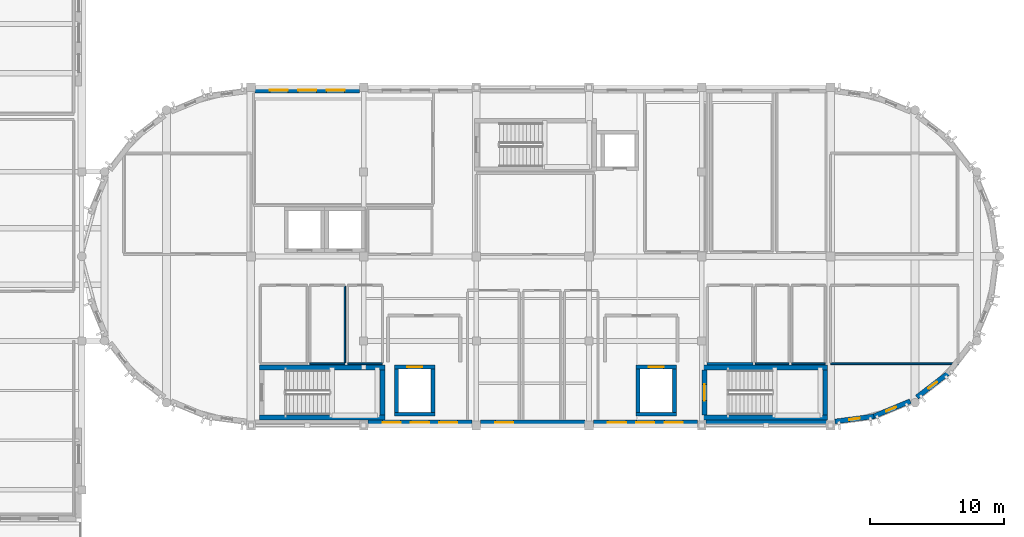
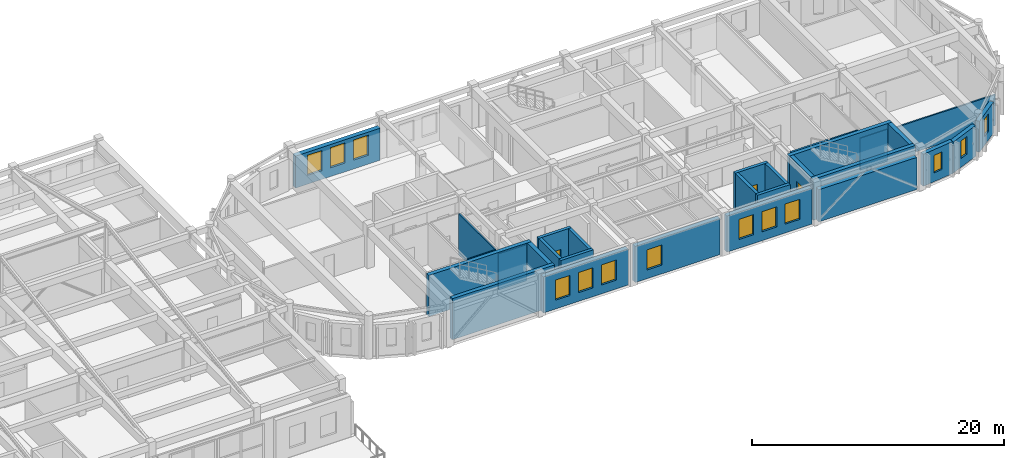
# One storey, part 17 of 29: 30 walls, 13 windows, 3 doors, 16 openings.
"""IFC4 building model written with IfcOpenShell, lengths in metres."""

import ifcopenshell
import ifcopenshell.guid

model = None  # the IFC model being written
_history = None  # IfcOwnerHistory: only IFC2X3 demands one
_inside = {}  # id of a spatial element -> (the spatial element, [elements in it])
_under = {}  # id of a project, library or spatial element -> (it, [spatial elements below it])
_declared = {}  # id of a project -> (the project, [libraries it declares])
_typed = {}  # id of a type object -> (the type object, [elements of that type])
_made_of = {}  # id of a material, layer set ... -> (it, [elements and type objects made of it])


def new_model(schema):
    """Start an empty IFC model of exactly this schema.

    Asked for "IFC4X3", IfcOpenShell would pick the latest addendum, in which some entities
    have other attributes; the version numbers below select the first issue.
    IFC2X3 requires an IfcOwnerHistory on every rooted entity: one is made here for all.
    """
    global model, _history
    if schema == "IFC4X3":
        model = ifcopenshell.file(schema_version=(4, 3, 0, 0))
    else:
        model = ifcopenshell.file(schema=schema)
    _inside.clear()
    _under.clear()
    _declared.clear()
    _typed.clear()
    _made_of.clear()
    _history = None
    if model.schema == "IFC2X3":
        org = make("IfcOrganization", Name="unknown")
        user = make(
            "IfcPersonAndOrganization",
            ThePerson=make("IfcPerson", FamilyName="unknown"),
            TheOrganization=org,
        )
        app = make(
            "IfcApplication",
            ApplicationDeveloper=org,
            Version="unknown",
            ApplicationFullName="unknown",
            ApplicationIdentifier="unknown",
        )
        _history = make(
            "IfcOwnerHistory",
            OwningUser=user,
            OwningApplication=app,
            ChangeAction="ADDED",
            CreationDate=0,
        )
    return model


def make(cls, **values):
    """One entity of the class cls with the attributes given. An attribute that is None is left unset."""
    return model.create_entity(
        cls, **{name: value for name, value in values.items() if value is not None}
    )


def rooted(cls, **values):
    """An entity with a GlobalId (a new one), such as an element, a storey or a relation."""
    return make(cls, GlobalId=ifcopenshell.guid.new(), OwnerHistory=_history, **values)


def si_unit(unit_type, name, prefix=None):
    """IfcSIUnit, for example si_unit("LENGTHUNIT", "METRE", prefix="MILLI")."""
    return make("IfcSIUnit", UnitType=unit_type, Prefix=prefix, Name=name)


def assignment(units):
    """IfcUnitAssignment: the units of a project."""
    return None if units is None else make("IfcUnitAssignment", Units=units)


def point(xyz):
    """IfcCartesianPoint."""
    return None if xyz is None else make("IfcCartesianPoint", Coordinates=xyz)


def direction(xyz):
    """IfcDirection."""
    return None if xyz is None else make("IfcDirection", DirectionRatios=xyz)


def frame(location, z_axis=None, x_axis=None):
    """IfcAxis2Placement3D, a coordinate frame: its origin and axes. An axis left out is left unset."""
    return make(
        "IfcAxis2Placement3D",
        Location=point(location),
        Axis=direction(z_axis),
        RefDirection=direction(x_axis),
    )


def frame_2d(location, x_axis=None):
    """IfcAxis2Placement2D, a coordinate frame in the plane: its origin and x axis."""
    return make(
        "IfcAxis2Placement2D", Location=point(location), RefDirection=direction(x_axis)
    )


def origin():
    """The frame at (0, 0, 0) with its axes left unset."""
    return frame((0.0, 0.0, 0.0))


def place(relative_to, where):
    """IfcLocalPlacement: puts the frame where relative to a parent placement (None: the world)."""
    return make(
        "IfcLocalPlacement", PlacementRelTo=relative_to, RelativePlacement=where
    )


def context(
    kind, dimensions, precision=None, world=None, true_north=None, identifier=None
):
    """IfcGeometricRepresentationContext, for example the 3D "Model" context."""
    return make(
        "IfcGeometricRepresentationContext",
        ContextIdentifier=identifier,
        ContextType=kind,
        CoordinateSpaceDimension=dimensions,
        Precision=precision,
        WorldCoordinateSystem=world,
        TrueNorth=true_north,
    )


def subcontext(parent, identifier, kind, view, scale=None):
    """IfcGeometricRepresentationSubContext, for example "Body" below "Model"."""
    return make(
        "IfcGeometricRepresentationSubContext",
        ContextIdentifier=identifier,
        ContextType=kind,
        ParentContext=parent,
        TargetScale=scale,
        TargetView=view,
    )


def project(units=None, contexts=None):
    """IfcProject with its units and contexts."""
    return rooted(
        "IfcProject",
        Name="project",
        RepresentationContexts=contexts,
        UnitsInContext=assignment(units),
    )


def spatial(cls, under=None, at=None, **own):
    """A site, building, storey or space (cls), placed at a placement, below another one or the project."""
    s = rooted(cls, ObjectPlacement=at, **own)
    if under is not None:
        _under.setdefault(under.id(), (under, []))[1].append(s)
    return s


def profile(cls, at=None, kind="AREA", **sizes):
    """A parametric profile (cls). Its sizes go by their IFC names, for example OverallWidth=200.0."""
    return make(cls, ProfileType=kind, Position=at, **sizes)


def rectangle(**sizes):
    """IfcRectangleProfileDef."""
    return profile("IfcRectangleProfileDef", **sizes)


def extrude(swept, where, along, depth):
    """IfcExtrudedAreaSolid: the profile swept, set in the frame where, extruded along a direction by depth."""
    return make(
        "IfcExtrudedAreaSolid",
        SweptArea=swept,
        Position=where,
        ExtrudedDirection=direction(along),
        Depth=depth,
    )


def shape(context_of_items, identifier, shape_type, items):
    """IfcShapeRepresentation: the items that make up one representation, for example the "Body"."""
    return make(
        "IfcShapeRepresentation",
        ContextOfItems=context_of_items,
        RepresentationIdentifier=identifier,
        RepresentationType=shape_type,
        Items=items,
    )


def material(Name=None, Category=None):
    """IfcMaterial."""
    return make("IfcMaterial", Name=Name, Category=Category)


def layer(
    of_material, thickness, ventilated=None, Name=None, Category=None, Priority=None
):
    """IfcMaterialLayer: one layer of a wall or slab, of a material (None: an air gap)."""
    return make(
        "IfcMaterialLayer",
        Material=of_material,
        LayerThickness=thickness,
        IsVentilated=ventilated,
        Name=Name,
        Category=Category,
        Priority=Priority,
    )


def layer_set(layers, Name=None):
    """IfcMaterialLayerSet."""
    return make("IfcMaterialLayerSet", MaterialLayers=layers, LayerSetName=Name)


def made_of(thing, what):
    """Note that an element or type object is made of a material, layer set ...; save() writes the relation."""
    if what is not None:
        _made_of.setdefault(what.id(), (what, []))[1].append(thing)
    return thing


def type_object(cls, material=None, **own):
    """A type object (cls), such as IfcWallType, which elements share."""
    return made_of(rooted(cls, **own), material)


def element(
    cls,
    number,
    at=None,
    inside=None,
    cuts=None,
    type_object=None,
    material=None,
    context=None,
    identifier="Body",
    shape_type=None,
    held_by="IfcProductDefinitionShape",
    body=None,
    shapes=None,
    **own,
):
    """One element of the class cls, such as IfcWall. Its Tag is "e" and its number.

    at: its placement. inside: the storey or other place that contains it. cuts: it is an
    opening in that element (IfcRelVoidsElement). A single representation is given by context,
    identifier, shape_type and body (its items); several are given by shapes. held_by: the class
    of the entity that holds the representations. save() writes the other relations.
    """
    e = rooted(cls, Tag="e%d" % number, ObjectPlacement=at, **own)
    if body is not None:
        shapes = [shape(context, identifier, shape_type, body)]
    if shapes is not None:
        e.Representation = make(held_by, Representations=shapes)
    if inside is not None:
        _inside.setdefault(inside.id(), (inside, []))[1].append(e)
    if cuts is not None:
        rooted(
            "IfcRelVoidsElement", RelatingBuildingElement=cuts, RelatedOpeningElement=e
        )
    if type_object is not None:
        _typed.setdefault(type_object.id(), (type_object, []))[1].append(e)
    return made_of(e, material)


def fill(opening, filler):
    """IfcRelFillsElement: the door or window that sits in an opening."""
    return rooted(
        "IfcRelFillsElement",
        RelatingOpeningElement=opening,
        RelatedBuildingElement=filler,
    )


def aggregate(whole, parts):
    """IfcRelAggregates: a whole, such as a stair, and the parts it consists of."""
    return rooted("IfcRelAggregates", RelatingObject=whole, RelatedObjects=parts)


def save(model, path):
    """Write the relations noted so far, then the file.

    IfcRelAggregates (storeys below a building ...), IfcRelContainedInSpatialStructure (elements
    in a storey), IfcRelDefinesByType, IfcRelAssociatesMaterial and IfcRelDeclares: one each for
    every whole, place, type object, material and project.
    """
    for whole, parts in _under.values():
        aggregate(whole, parts)
    for where, things in _inside.values():
        rooted(
            "IfcRelContainedInSpatialStructure",
            RelatedElements=things,
            RelatingStructure=where,
        )
    for kind, things in _typed.values():
        rooted("IfcRelDefinesByType", RelatedObjects=things, RelatingType=kind)
    for what, things in _made_of.values():
        rooted("IfcRelAssociatesMaterial", RelatedObjects=things, RelatingMaterial=what)
    for by, libraries in _declared.values():
        rooted("IfcRelDeclares", RelatingContext=by, RelatedDefinitions=libraries)
    model.write(path)


model = new_model("IFC4")

# Units and contexts
model_context = context("Model", 3, precision=1e-05, world=origin(), true_north=direction((0.0, 1.0)))
body_context = subcontext(model_context, "Body", "Model", "MODEL_VIEW")
ifc_project = project(units=[si_unit("LENGTHUNIT", "METRE"), si_unit("AREAUNIT", "SQUARE_METRE"), si_unit("VOLUMEUNIT", "CUBIC_METRE"), si_unit("PLANEANGLEUNIT", "RADIAN"), si_unit("MASSUNIT", "GRAM", prefix="KILO")], contexts=[model_context])

# Site, building, storey
site_placement = place(None, origin())
site = spatial("IfcSite", under=ifc_project, at=site_placement, CompositionType="ELEMENT")
building_placement = place(site_placement, origin())
building = spatial("IfcBuilding", under=site, at=building_placement, Name="Tarnavel Promenade Courthouse", CompositionType="ELEMENT")
storey_placement = place(building_placement, frame((0.0, 0.0, 22.800048828125)))
storey = spatial("IfcBuildingStorey", under=building, at=storey_placement, Name="L06", CompositionType="ELEMENT", Elevation=22.800048828125)

# Wall, opening, door
ifc_material_1 = material(Name="Concrete C40/50", Category="concrete")
ifc_layer_1 = layer(ifc_material_1, 0.280029296875)
ifc_layer_set_1 = layer_set([ifc_layer_1], Name="Concrete C40/50")
wall_type_1 = type_object("IfcWallType", Name="Concrete C40/50 WL-SHR-280 (280 mm)", PredefinedType="SHEAR", material=ifc_layer_set_1)
wall_1_placement = place(storey_placement, frame((69.5, 83.56005859375, 0.0), z_axis=(0.0, 0.0, 1.0), x_axis=(1.0, 0.0, 0.0)))
wall_1 = element("IfcWall", 1, at=wall_1_placement, inside=storey, type_object=wall_type_1, Name="L06 L-FF1 Lift Shaft North Wall", PredefinedType="SHEAR", context=body_context, shape_type="SweptSolid", body=[
    extrude(rectangle(XDim=3.0, YDim=0.280029296875, at=frame_2d((1.5, 0.0))), origin(), (0.0, 0.0, 1.0), 3.969970703125),
])
opening_1_placement = place(wall_1_placement, frame((0.949951171875, 0.0, 0.0)))
opening_1 = element("IfcOpeningElement", 2, at=opening_1_placement, cuts=wall_1, Name="Opening LD-01", PredefinedType="OPENING", context=body_context, shape_type="SweptSolid", body=[
    extrude(rectangle(XDim=1.10009765625, YDim=2.199951171875, at=frame_2d((0.550048828125, 1.10009765625))), frame((0.0, 0.14990234375, 0.0), z_axis=(0.0, -1.0, 0.0), x_axis=(1.0, 0.0, 0.0)), (0.0, 0.0, 1.0), 0.300048828125),
])
ifc_material_2 = material(Name="Stainless Steel Firefighting Lift Landing Sliding Door", Category="steel")
door_type_1 = type_object("IfcDoorType", Name="Stainless Steel Firefighting Lift Landing Sliding Door (LD-FF-1100x2200)", OperationType="NOTDEFINED", PredefinedType="DOOR", material=ifc_material_2)
door_1_placement = place(opening_1_placement, origin())
door_1 = element("IfcDoor", 3, at=door_1_placement, inside=storey, type_object=door_type_1, Name="L06 L-FF1 Lift Sliding Landing Door", OperationType="DOUBLE_DOOR_SLIDING", OverallHeight=2.199951171875, OverallWidth=1.10009765625, PredefinedType="DOOR", context=body_context, shape_type="SweptSolid", body=[
    extrude(rectangle(XDim=1.10009765625, YDim=2.199951171875, at=frame_2d((0.550048828125, 1.10009765625))), frame((0.0, 0.02490234375, 0.0), z_axis=(0.0, -1.0, 0.0), x_axis=(1.0, 0.0, 0.0)), (0.0, 0.0, 1.0), 0.050048828125),
])
fill(opening_1, door_1)

# Walls
wall_2_placement = place(storey_placement, frame((72.5, 80.0400390625, 0.0), z_axis=(0.0, 0.0, 1.0), x_axis=(-1.0, 0.0, 0.0)))
element("IfcWall", 4, at=wall_2_placement, inside=storey, type_object=wall_type_1, Name="L06 L-FF1 Lift Shaft South Wall", PredefinedType="SHEAR", context=body_context, shape_type="SweptSolid", body=[
    extrude(rectangle(XDim=3.0, YDim=0.280029296875, at=frame_2d((1.5, 0.0))), origin(), (0.0, 0.0, 1.0), 3.969970703125),
])
for number, where, z_axis, x_axis, name in (
    (5, (69.639892578125, 80.179931640625, 0.0), (0.0, 0.0, 1.0), (0.0, 1.0, 0.0), "L06 L-FF1 Lift Shaft West Wall"),
    (6, (72.360107421875, 83.419921875, 0.0), (0.0, 0.0, 1.0), (0.0, -1.0, 0.0), "L06 L-FF1 Lift Shaft East Wall"),
):
    element("IfcWall", number, at=place(storey_placement, frame(where, z_axis=z_axis, x_axis=x_axis)), inside=storey, type_object=wall_type_1, Name=name, PredefinedType="SHEAR", context=body_context, shape_type="SweptSolid", body=[
        extrude(rectangle(XDim=3.239990234375, YDim=0.280029296875, at=frame_2d((1.6201171875, 0.0))), origin(), (0.0, 0.0, 1.0), 3.969970703125),
    ])

# Wall, opening, door
wall_3_placement = place(storey_placement, frame((87.5, 83.56005859375, 0.0), z_axis=(0.0, 0.0, 1.0), x_axis=(1.0, 0.0, 0.0)))
wall_3 = element("IfcWall", 7, at=wall_3_placement, inside=storey, type_object=wall_type_1, Name="L06 L-FF2 Lift Shaft North Wall", PredefinedType="SHEAR", context=body_context, shape_type="SweptSolid", body=[
    extrude(rectangle(XDim=3.0, YDim=0.280029296875, at=frame_2d((1.5, 0.0))), origin(), (0.0, 0.0, 1.0), 3.969970703125),
])
opening_2_placement = place(wall_3_placement, frame((0.949951171875, 0.0, 0.0)))
opening_2 = element("IfcOpeningElement", 8, at=opening_2_placement, cuts=wall_3, Name="Opening LD-01", PredefinedType="OPENING", context=body_context, shape_type="SweptSolid", body=[
    extrude(rectangle(XDim=1.10009765625, YDim=2.199951171875, at=frame_2d((0.550048828125, 1.10009765625))), frame((0.0, 0.14990234375, 0.0), z_axis=(0.0, -1.0, 0.0), x_axis=(1.0, 0.0, 0.0)), (0.0, 0.0, 1.0), 0.300048828125),
])
door_2_placement = place(opening_2_placement, origin())
door_2 = element("IfcDoor", 9, at=door_2_placement, inside=storey, type_object=door_type_1, Name="L06 L-FF2 Lift Sliding Landing Door", OperationType="DOUBLE_DOOR_SLIDING", OverallHeight=2.199951171875, OverallWidth=1.10009765625, PredefinedType="DOOR", context=body_context, shape_type="SweptSolid", body=[
    extrude(rectangle(XDim=1.10009765625, YDim=2.199951171875, at=frame_2d((0.550048828125, 1.10009765625))), frame((0.0, 0.02490234375, 0.0), z_axis=(0.0, -1.0, 0.0), x_axis=(1.0, 0.0, 0.0)), (0.0, 0.0, 1.0), 0.050048828125),
])
fill(opening_2, door_2)

# Walls
wall_4_placement = place(storey_placement, frame((90.5, 80.0400390625, 0.0), z_axis=(0.0, 0.0, 1.0), x_axis=(-1.0, 0.0, 0.0)))
element("IfcWall", 10, at=wall_4_placement, inside=storey, type_object=wall_type_1, Name="L06 L-FF2 Lift Shaft South Wall", PredefinedType="SHEAR", context=body_context, shape_type="SweptSolid", body=[
    extrude(rectangle(XDim=3.0, YDim=0.280029296875, at=frame_2d((1.5, 0.0))), origin(), (0.0, 0.0, 1.0), 3.969970703125),
])
for number, where, z_axis, x_axis, name in (
    (11, (87.639892578125, 80.179931640625, 0.0), (0.0, 0.0, 1.0), (0.0, 1.0, 0.0), "L06 L-FF2 Lift Shaft West Wall"),
    (12, (90.360107421875, 83.419921875, 0.0), (0.0, 0.0, 1.0), (0.0, -1.0, 0.0), "L06 L-FF2 Lift Shaft East Wall"),
):
    element("IfcWall", number, at=place(storey_placement, frame(where, z_axis=z_axis, x_axis=x_axis)), inside=storey, type_object=wall_type_1, Name=name, PredefinedType="SHEAR", context=body_context, shape_type="SweptSolid", body=[
        extrude(rectangle(XDim=3.239990234375, YDim=0.280029296875, at=frame_2d((1.6201171875, 0.0))), origin(), (0.0, 0.0, 1.0), 3.969970703125),
    ])
ifc_layer_2 = layer(ifc_material_1, 0.360107421875)
ifc_layer_set_2 = layer_set([ifc_layer_2], Name="Concrete C40/50")
wall_type_2 = type_object("IfcWallType", Name="Concrete C40/50 WL-SHR-360 (360 mm)", PredefinedType="SHEAR", material=ifc_layer_set_2)
for number, where, z_axis, x_axis, name in (
    (13, (59.419921875, 83.52001953125, 0.0), (0.0, 0.0, 1.0), (1.0, 0.0, 0.0), "L06 ST-01 Shear Core North Wall"),
    (14, (68.780029296875, 79.800048828125, 0.0), (0.0, 0.0, 1.0), (-1.0, 0.0, 0.0), "L06 ST-01 Shear Core South Wall"),
):
    element("IfcWall", number, at=place(storey_placement, frame(where, z_axis=z_axis, x_axis=x_axis)), inside=storey, type_object=wall_type_2, Name=name, PredefinedType="SHEAR", context=body_context, shape_type="SweptSolid", body=[
        extrude(rectangle(XDim=9.360107421875, YDim=0.360107421875, at=frame_2d((4.68017578125, 0.0))), origin(), (0.0, 0.0, 1.0), 3.969970703125),
    ])
wall_5_placement = place(storey_placement, frame((68.60009765625, 83.340087890625, 0.0), z_axis=(0.0, 0.0, 1.0), x_axis=(0.0, -1.0, 0.0)))
element("IfcWall", 15, at=wall_5_placement, inside=storey, type_object=wall_type_2, Name="L06 ST-01 Shear Core East Wall", PredefinedType="SHEAR", context=body_context, shape_type="SweptSolid", body=[
    extrude(rectangle(XDim=3.360107421875, YDim=0.360107421875, at=frame_2d((1.68017578125, 0.0))), origin(), (0.0, 0.0, 1.0), 3.969970703125),
])
for number, where, z_axis, x_axis, name in (
    (16, (92.419921875, 83.52001953125, 0.0), (0.0, 0.0, 1.0), (1.0, 0.0, 0.0), "L06 ST-02 Shear Core North Wall"),
    (17, (101.780029296875, 79.800048828125, 0.0), (0.0, 0.0, 1.0), (-1.0, 0.0, 0.0), "L06 ST-02 Shear Core South Wall"),
):
    element("IfcWall", number, at=place(storey_placement, frame(where, z_axis=z_axis, x_axis=x_axis)), inside=storey, type_object=wall_type_2, Name=name, PredefinedType="SHEAR", context=body_context, shape_type="SweptSolid", body=[
        extrude(rectangle(XDim=9.360107421875, YDim=0.360107421875, at=frame_2d((4.68017578125, 0.0))), origin(), (0.0, 0.0, 1.0), 3.969970703125),
    ])

# Wall, opening, door
wall_6_placement = place(storey_placement, frame((92.60009765625, 79.97998046875, 0.0), z_axis=(0.0, 0.0, 1.0), x_axis=(0.0, 1.0, 0.0)))
wall_6 = element("IfcWall", 18, at=wall_6_placement, inside=storey, type_object=wall_type_2, Name="L06 ST-02 Shear Core West Landing Wall", PredefinedType="SHEAR", context=body_context, shape_type="SweptSolid", body=[
    extrude(rectangle(XDim=3.360107421875, YDim=0.360107421875, at=frame_2d((1.68017578125, 0.0))), origin(), (0.0, 0.0, 1.0), 3.969970703125),
])
opening_3_placement = place(wall_6_placement, frame((1.080078125, 0.0, 0.0)))
opening_3 = element("IfcOpeningElement", 19, at=opening_3_placement, cuts=wall_6, Name="Opening FD-02", PredefinedType="OPENING", context=body_context, shape_type="SweptSolid", body=[
    extrude(rectangle(XDim=1.199951171875, YDim=2.199951171875, at=frame_2d((0.60009765625, 1.10009765625))), frame((0.0, 0.18994140625, 0.0), z_axis=(0.0, -1.0, 0.0), x_axis=(1.0, 0.0, 0.0)), (0.0, 0.0, 1.0), 0.380126953125),
])
ifc_material_3 = material(Name="Steel Fire-Rated Firefighting Stair Door", Category="steel")
door_type_2 = type_object("IfcDoorType", Name="Steel Fire-Rated Firefighting Stair Door (DR-ST-1200x2200)", OperationType="NOTDEFINED", PredefinedType="DOOR", material=ifc_material_3)
door_3_placement = place(opening_3_placement, origin())
door_3 = element("IfcDoor", 20, at=door_3_placement, inside=storey, type_object=door_type_2, Name="L06 ST-02 Protected Exit Stair Door", OperationType="SINGLE_SWING_RIGHT", OverallHeight=2.199951171875, OverallWidth=1.199951171875, PredefinedType="DOOR", context=body_context, shape_type="SweptSolid", body=[
    extrude(rectangle(XDim=1.199951171875, YDim=2.199951171875, at=frame_2d((0.60009765625, 1.10009765625))), frame((0.0, 0.02490234375, 0.0), z_axis=(0.0, -1.0, 0.0), x_axis=(1.0, 0.0, 0.0)), (0.0, 0.0, 1.0), 0.050048828125),
])
fill(opening_3, door_3)

# Walls
wall_7_placement = place(storey_placement, frame((101.60009765625, 83.340087890625, 0.0), z_axis=(0.0, 0.0, 1.0), x_axis=(0.0, -1.0, 0.0)))
element("IfcWall", 21, at=wall_7_placement, inside=storey, type_object=wall_type_2, Name="L06 ST-02 Shear Core East Wall", PredefinedType="SHEAR", context=body_context, shape_type="SweptSolid", body=[
    extrude(rectangle(XDim=3.360107421875, YDim=0.360107421875, at=frame_2d((1.68017578125, 0.0))), origin(), (0.0, 0.0, 1.0), 3.969970703125),
])
ifc_material_4 = material(Name="Concrete Masonry Fire Compartment Wall", Category="masonry")
ifc_layer_3 = layer(ifc_material_4, 0.205078125)
ifc_layer_set_3 = layer_set([ifc_layer_3], Name="Concrete Masonry Fire Compartment Wall")
wall_type_3 = type_object("IfcWallType", Name="Concrete Masonry Fire Compartment Wall WL-CMP-205 (205 mm)", PredefinedType="STANDARD", material=ifc_layer_set_3)
wall_8_placement = place(storey_placement, frame((96.199951171875, 83.800048828125, 0.0), z_axis=(0.0, 0.0, 1.0), x_axis=(-1.0, 0.0, 0.0)))
element("IfcWall", 22, at=wall_8_placement, inside=storey, type_object=wall_type_3, Name="L06 L06 Court Transcript Records Room Partition 0778", PredefinedType="STANDARD", context=body_context, shape_type="SweptSolid", body=[
    extrude(rectangle(XDim=3.39990234375, YDim=0.205078125, at=frame_2d((1.699951171875, 0.0))), origin(), (0.0, 0.0, 1.0), 3.954833984375),
])

# Wall, openings, windows
ifc_material_5 = material(Name="Cream Brick Insulated Cavity Facade Assembly", Category="masonry")
ifc_layer_4 = layer(ifc_material_5, 0.409912109375)
ifc_layer_set_4 = layer_set([ifc_layer_4], Name="Cream Brick Insulated Cavity Facade Assembly")
wall_type_4 = type_object("IfcWallType", Name="Cream Brick Insulated Cavity Facade Assembly WL-EXT-410 (410 mm)", PredefinedType="STANDARD", material=ifc_layer_set_4)
wall_9_placement = place(storey_placement, frame((59.116943359375, 104.179931640625, 0.0), z_axis=(0.0, 0.0, 1.0), x_axis=(1.0, 0.0, 0.0)))
wall_9 = element("IfcWall", 23, at=wall_9_placement, inside=storey, type_object=wall_type_4, Name="L06 Bar North Limestone Facade 0138", PredefinedType="STANDARD", context=body_context, shape_type="SweptSolid", body=[
    extrude(rectangle(XDim=7.76611328125, YDim=0.409912109375, at=frame_2d((3.883056640625, 0.0))), origin(), (0.0, 0.0, 1.0), 3.099853515625),
])
opening_4_placement = place(wall_9_placement, frame((1.0947265625, 0.0, 0.85009765625)))
opening_4 = element("IfcOpeningElement", 24, at=opening_4_placement, cuts=wall_9, Name="Opening W-04", PredefinedType="OPENING", context=body_context, shape_type="SweptSolid", body=[
    extrude(rectangle(XDim=1.35009765625, YDim=1.949951171875, at=frame_2d((0.675048828125, 0.97509765625))), frame((0.0, 0.21484375, 0.0), z_axis=(0.0, -1.0, 0.0), x_axis=(1.0, 0.0, 0.0)), (0.0, 0.0, 1.0), 0.429931640625),
])
opening_5_placement = place(wall_9_placement, frame((3.2080078125, 0.0, 0.85009765625)))
opening_5 = element("IfcOpeningElement", 25, at=opening_5_placement, cuts=wall_9, Name="Opening W-04", PredefinedType="OPENING", context=body_context, shape_type="SweptSolid", body=[
    extrude(rectangle(XDim=1.35009765625, YDim=1.949951171875, at=frame_2d((0.675048828125, 0.97509765625))), frame((0.0, 0.21484375, 0.0), z_axis=(0.0, -1.0, 0.0), x_axis=(1.0, 0.0, 0.0)), (0.0, 0.0, 1.0), 0.429931640625),
])
opening_6_placement = place(wall_9_placement, frame((5.3212890625, 0.0, 0.85009765625)))
opening_6 = element("IfcOpeningElement", 26, at=opening_6_placement, cuts=wall_9, Name="Opening W-04", PredefinedType="OPENING", context=body_context, shape_type="SweptSolid", body=[
    extrude(rectangle(XDim=1.35009765625, YDim=1.949951171875, at=frame_2d((0.675048828125, 0.97509765625))), frame((0.0, 0.21484375, 0.0), z_axis=(0.0, -1.0, 0.0), x_axis=(1.0, 0.0, 0.0)), (0.0, 0.0, 1.0), 0.429931640625),
])
ifc_material_6 = material(Name="Triple Low-E Glazed Bronze-Clad Window Assembly")
window_type_1 = type_object("IfcWindowType", Name="Triple-Glazed Bronze-Clad Timber-Aluminium WIN-CHM-1350x1950", PartitioningType="SINGLE_PANEL", PredefinedType="WINDOW", material=ifc_material_6)
window_1_placement = place(opening_4_placement, origin())
window_1 = element("IfcWindow", 27, at=window_1_placement, inside=storey, type_object=window_type_1, Name="L06 Exterior Window 0099", OverallHeight=1.949951171875, OverallWidth=1.35009765625, PartitioningType="SINGLE_PANEL", PredefinedType="WINDOW", context=body_context, shape_type="SweptSolid", body=[
    extrude(rectangle(XDim=1.35009765625, YDim=1.949951171875, at=frame_2d((0.675048828125, 0.97509765625))), frame((0.0, 0.030029296875, 0.0), z_axis=(0.0, -1.0, 0.0), x_axis=(1.0, 0.0, 0.0)), (0.0, 0.0, 1.0), 0.06005859375),
])
fill(opening_4, window_1)
window_2_placement = place(opening_5_placement, origin())
window_2 = element("IfcWindow", 28, at=window_2_placement, inside=storey, type_object=window_type_1, Name="L06 Exterior Window 0100", OverallHeight=1.949951171875, OverallWidth=1.35009765625, PartitioningType="SINGLE_PANEL", PredefinedType="WINDOW", context=body_context, shape_type="SweptSolid", body=[
    extrude(rectangle(XDim=1.35009765625, YDim=1.949951171875, at=frame_2d((0.675048828125, 0.97509765625))), frame((0.0, 0.030029296875, 0.0), z_axis=(0.0, -1.0, 0.0), x_axis=(1.0, 0.0, 0.0)), (0.0, 0.0, 1.0), 0.06005859375),
])
fill(opening_5, window_2)
window_3_placement = place(opening_6_placement, origin())
window_3 = element("IfcWindow", 29, at=window_3_placement, inside=storey, type_object=window_type_1, Name="L06 Exterior Window 0101", OverallHeight=1.949951171875, OverallWidth=1.35009765625, PartitioningType="SINGLE_PANEL", PredefinedType="WINDOW", context=body_context, shape_type="SweptSolid", body=[
    extrude(rectangle(XDim=1.35009765625, YDim=1.949951171875, at=frame_2d((0.675048828125, 0.97509765625))), frame((0.0, 0.030029296875, 0.0), z_axis=(0.0, -1.0, 0.0), x_axis=(1.0, 0.0, 0.0)), (0.0, 0.0, 1.0), 0.06005859375),
])
fill(opening_6, window_3)

wall_10_placement = place(storey_placement, frame((75.282958984375, 79.419921875, 0.0), z_axis=(0.0, 0.0, 1.0), x_axis=(-1.0, 0.0, 0.0)))
wall_10 = element("IfcWall", 30, at=wall_10_placement, inside=storey, type_object=wall_type_4, Name="L06 Bar South Limestone Facade 0144", PredefinedType="STANDARD", context=body_context, shape_type="SweptSolid", body=[
    extrude(rectangle(XDim=7.765869140625, YDim=0.409912109375, at=frame_2d((3.8828125, 0.0))), origin(), (0.0, 0.0, 1.0), 3.5),
])
opening_7_placement = place(wall_10_placement, frame((1.0947265625, 0.0, 0.85009765625)))
opening_7 = element("IfcOpeningElement", 31, at=opening_7_placement, cuts=wall_10, Name="Opening W-04", PredefinedType="OPENING", context=body_context, shape_type="SweptSolid", body=[
    extrude(rectangle(XDim=1.35009765625, YDim=1.949951171875, at=frame_2d((0.675048828125, 0.97509765625))), frame((0.0, 0.21484375, 0.0), z_axis=(0.0, -1.0, 0.0), x_axis=(1.0, 0.0, 0.0)), (0.0, 0.0, 1.0), 0.429931640625),
])
opening_8_placement = place(wall_10_placement, frame((3.2080078125, 0.0, 0.85009765625)))
opening_8 = element("IfcOpeningElement", 32, at=opening_8_placement, cuts=wall_10, Name="Opening W-04", PredefinedType="OPENING", context=body_context, shape_type="SweptSolid", body=[
    extrude(rectangle(XDim=1.35009765625, YDim=1.949951171875, at=frame_2d((0.675048828125, 0.97509765625))), frame((0.0, 0.21484375, 0.0), z_axis=(0.0, -1.0, 0.0), x_axis=(1.0, 0.0, 0.0)), (0.0, 0.0, 1.0), 0.429931640625),
])
opening_9_placement = place(wall_10_placement, frame((5.3212890625, 0.0, 0.85009765625)))
opening_9 = element("IfcOpeningElement", 33, at=opening_9_placement, cuts=wall_10, Name="Opening W-04", PredefinedType="OPENING", context=body_context, shape_type="SweptSolid", body=[
    extrude(rectangle(XDim=1.35009765625, YDim=1.949951171875, at=frame_2d((0.675048828125, 0.97509765625))), frame((0.0, 0.21484375, 0.0), z_axis=(0.0, -1.0, 0.0), x_axis=(1.0, 0.0, 0.0)), (0.0, 0.0, 1.0), 0.429931640625),
])
window_4_placement = place(opening_7_placement, origin())
window_4 = element("IfcWindow", 34, at=window_4_placement, inside=storey, type_object=window_type_1, Name="L06 Exterior Window 0109", OverallHeight=1.949951171875, OverallWidth=1.35009765625, PartitioningType="SINGLE_PANEL", PredefinedType="WINDOW", context=body_context, shape_type="SweptSolid", body=[
    extrude(rectangle(XDim=1.35009765625, YDim=1.949951171875, at=frame_2d((0.675048828125, 0.97509765625))), frame((0.0, 0.030029296875, 0.0), z_axis=(0.0, -1.0, 0.0), x_axis=(1.0, 0.0, 0.0)), (0.0, 0.0, 1.0), 0.06005859375),
])
fill(opening_7, window_4)
window_5_placement = place(opening_8_placement, origin())
window_5 = element("IfcWindow", 35, at=window_5_placement, inside=storey, type_object=window_type_1, Name="L06 Exterior Window 0110", OverallHeight=1.949951171875, OverallWidth=1.35009765625, PartitioningType="SINGLE_PANEL", PredefinedType="WINDOW", context=body_context, shape_type="SweptSolid", body=[
    extrude(rectangle(XDim=1.35009765625, YDim=1.949951171875, at=frame_2d((0.675048828125, 0.97509765625))), frame((0.0, 0.030029296875, 0.0), z_axis=(0.0, -1.0, 0.0), x_axis=(1.0, 0.0, 0.0)), (0.0, 0.0, 1.0), 0.06005859375),
])
fill(opening_8, window_5)
window_6_placement = place(opening_9_placement, origin())
window_6 = element("IfcWindow", 36, at=window_6_placement, inside=storey, type_object=window_type_1, Name="L06 Exterior Window 0111", OverallHeight=1.949951171875, OverallWidth=1.35009765625, PartitioningType="SINGLE_PANEL", PredefinedType="WINDOW", context=body_context, shape_type="SweptSolid", body=[
    extrude(rectangle(XDim=1.35009765625, YDim=1.949951171875, at=frame_2d((0.675048828125, 0.97509765625))), frame((0.0, 0.030029296875, 0.0), z_axis=(0.0, -1.0, 0.0), x_axis=(1.0, 0.0, 0.0)), (0.0, 0.0, 1.0), 0.06005859375),
])
fill(opening_9, window_6)

# Wall, opening, window
wall_11_placement = place(storey_placement, frame((83.68310546875, 79.419921875, 0.0), z_axis=(0.0, 0.0, 1.0), x_axis=(-1.0, 0.0, 0.0)))
wall_11 = element("IfcWall", 37, at=wall_11_placement, inside=storey, type_object=wall_type_4, Name="L06 Bar South Limestone Facade 0145", PredefinedType="STANDARD", context=body_context, shape_type="SweptSolid", body=[
    extrude(rectangle(XDim=7.76611328125, YDim=0.409912109375, at=frame_2d((3.883056640625, 0.0))), origin(), (0.0, 0.0, 1.0), 3.5),
])
opening_10_placement = place(wall_11_placement, frame((5.3212890625, 0.0, 0.85009765625)))
opening_10 = element("IfcOpeningElement", 38, at=opening_10_placement, cuts=wall_11, Name="Opening W-04", PredefinedType="OPENING", context=body_context, shape_type="SweptSolid", body=[
    extrude(rectangle(XDim=1.35009765625, YDim=1.949951171875, at=frame_2d((0.675048828125, 0.97509765625))), frame((0.0, 0.21484375, 0.0), z_axis=(0.0, -1.0, 0.0), x_axis=(1.0, 0.0, 0.0)), (0.0, 0.0, 1.0), 0.429931640625),
])
window_7_placement = place(opening_10_placement, origin())
window_7 = element("IfcWindow", 39, at=window_7_placement, inside=storey, type_object=window_type_1, Name="L06 Exterior Window 0112", OverallHeight=1.949951171875, OverallWidth=1.35009765625, PartitioningType="SINGLE_PANEL", PredefinedType="WINDOW", context=body_context, shape_type="SweptSolid", body=[
    extrude(rectangle(XDim=1.35009765625, YDim=1.949951171875, at=frame_2d((0.675048828125, 0.97509765625))), frame((0.0, 0.030029296875, 0.0), z_axis=(0.0, -1.0, 0.0), x_axis=(1.0, 0.0, 0.0)), (0.0, 0.0, 1.0), 0.06005859375),
])
fill(opening_10, window_7)

# Wall, openings, windows
wall_12_placement = place(storey_placement, frame((92.0830078125, 79.419921875, 0.0), z_axis=(0.0, 0.0, 1.0), x_axis=(-1.0, 0.0, 0.0)))
wall_12 = element("IfcWall", 40, at=wall_12_placement, inside=storey, type_object=wall_type_4, Name="L06 Bar South Limestone Facade 0146", PredefinedType="STANDARD", context=body_context, shape_type="SweptSolid", body=[
    extrude(rectangle(XDim=7.76611328125, YDim=0.409912109375, at=frame_2d((3.883056640625, 0.0))), origin(), (0.0, 0.0, 1.0), 3.5),
])
opening_11_placement = place(wall_12_placement, frame((1.0947265625, 0.0, 0.85009765625)))
opening_11 = element("IfcOpeningElement", 41, at=opening_11_placement, cuts=wall_12, Name="Opening W-04", PredefinedType="OPENING", context=body_context, shape_type="SweptSolid", body=[
    extrude(rectangle(XDim=1.35009765625, YDim=1.949951171875, at=frame_2d((0.675048828125, 0.97509765625))), frame((0.0, 0.21484375, 0.0), z_axis=(0.0, -1.0, 0.0), x_axis=(1.0, 0.0, 0.0)), (0.0, 0.0, 1.0), 0.429931640625),
])
opening_12_placement = place(wall_12_placement, frame((3.2080078125, 0.0, 0.85009765625)))
opening_12 = element("IfcOpeningElement", 42, at=opening_12_placement, cuts=wall_12, Name="Opening W-04", PredefinedType="OPENING", context=body_context, shape_type="SweptSolid", body=[
    extrude(rectangle(XDim=1.35009765625, YDim=1.949951171875, at=frame_2d((0.675048828125, 0.97509765625))), frame((0.0, 0.21484375, 0.0), z_axis=(0.0, -1.0, 0.0), x_axis=(1.0, 0.0, 0.0)), (0.0, 0.0, 1.0), 0.429931640625),
])
opening_13_placement = place(wall_12_placement, frame((5.3212890625, 0.0, 0.85009765625)))
opening_13 = element("IfcOpeningElement", 43, at=opening_13_placement, cuts=wall_12, Name="Opening W-04", PredefinedType="OPENING", context=body_context, shape_type="SweptSolid", body=[
    extrude(rectangle(XDim=1.35009765625, YDim=1.949951171875, at=frame_2d((0.675048828125, 0.97509765625))), frame((0.0, 0.21484375, 0.0), z_axis=(0.0, -1.0, 0.0), x_axis=(1.0, 0.0, 0.0)), (0.0, 0.0, 1.0), 0.429931640625),
])
window_8_placement = place(opening_11_placement, origin())
window_8 = element("IfcWindow", 44, at=window_8_placement, inside=storey, type_object=window_type_1, Name="L06 Exterior Window 0113", OverallHeight=1.949951171875, OverallWidth=1.35009765625, PartitioningType="SINGLE_PANEL", PredefinedType="WINDOW", context=body_context, shape_type="SweptSolid", body=[
    extrude(rectangle(XDim=1.35009765625, YDim=1.949951171875, at=frame_2d((0.675048828125, 0.97509765625))), frame((0.0, 0.030029296875, 0.0), z_axis=(0.0, -1.0, 0.0), x_axis=(1.0, 0.0, 0.0)), (0.0, 0.0, 1.0), 0.06005859375),
])
fill(opening_11, window_8)
window_9_placement = place(opening_12_placement, origin())
window_9 = element("IfcWindow", 45, at=window_9_placement, inside=storey, type_object=window_type_1, Name="L06 Exterior Window 0114", OverallHeight=1.949951171875, OverallWidth=1.35009765625, PartitioningType="SINGLE_PANEL", PredefinedType="WINDOW", context=body_context, shape_type="SweptSolid", body=[
    extrude(rectangle(XDim=1.35009765625, YDim=1.949951171875, at=frame_2d((0.675048828125, 0.97509765625))), frame((0.0, 0.030029296875, 0.0), z_axis=(0.0, -1.0, 0.0), x_axis=(1.0, 0.0, 0.0)), (0.0, 0.0, 1.0), 0.06005859375),
])
fill(opening_12, window_9)
window_10_placement = place(opening_13_placement, origin())
window_10 = element("IfcWindow", 46, at=window_10_placement, inside=storey, type_object=window_type_1, Name="L06 Exterior Window 0115", OverallHeight=1.949951171875, OverallWidth=1.35009765625, PartitioningType="SINGLE_PANEL", PredefinedType="WINDOW", context=body_context, shape_type="SweptSolid", body=[
    extrude(rectangle(XDim=1.35009765625, YDim=1.949951171875, at=frame_2d((0.675048828125, 0.97509765625))), frame((0.0, 0.030029296875, 0.0), z_axis=(0.0, -1.0, 0.0), x_axis=(1.0, 0.0, 0.0)), (0.0, 0.0, 1.0), 0.06005859375),
])
fill(opening_13, window_10)

# Walls
wall_13_placement = place(storey_placement, frame((101.68310546875, 79.419921875, 0.0), z_axis=(0.0, 0.0, 1.0), x_axis=(-1.0, 0.0, 0.0)))
element("IfcWall", 47, at=wall_13_placement, inside=storey, type_object=wall_type_4, Name="L06 Bar South Limestone Facade 0147", PredefinedType="STANDARD", context=body_context, shape_type="SweptSolid", body=[
    extrude(rectangle(XDim=8.966064453125, YDim=0.409912109375, at=frame_2d((4.48291015625, 0.0))), origin(), (0.0, 0.0, 1.0), 3.099853515625),
])
ifc_material_7 = material(Name="Metal-Stud Acoustic Gypsum Partition", Category="gypsum")
ifc_layer_5 = layer(ifc_material_7, 0.135009765625)
ifc_layer_set_5 = layer_set([ifc_layer_5], Name="Metal-Stud Acoustic Gypsum Partition")
wall_type_5 = type_object("IfcWallType", Name="Metal-Stud Acoustic Gypsum Partition WL-OFF-135 (135 mm)", PredefinedType="PARTITIONING", material=ifc_layer_set_5)
wall_14_placement = place(storey_placement, frame((111.5, 83.800048828125, 0.0), z_axis=(0.0, 0.0, 1.0), x_axis=(-1.0, 0.0, 0.0)))
element("IfcWall", 48, at=wall_14_placement, inside=storey, type_object=wall_type_5, Name="L06 L06 East Drum Collegium Reference Room Partition 0839", PredefinedType="PARTITIONING", context=body_context, shape_type="SweptSolid", body=[
    extrude(rectangle(XDim=9.5, YDim=0.135009765625, at=frame_2d((4.75, 0.0))), origin(), (0.0, 0.0, 1.0), 3.0),
])
ifc_material_8 = material(Name="Moisture-Resistant Tile-Backed Stud Partition", Category="gypsum")
ifc_layer_6 = layer(ifc_material_8, 0.125)
ifc_layer_set_6 = layer_set([ifc_layer_6], Name="Moisture-Resistant Tile-Backed Stud Partition")
wall_type_6 = type_object("IfcWallType", Name="Moisture-Resistant Tile-Backed Stud Partition WL-WET-125 (125 mm)", PredefinedType="PARTITIONING", material=ifc_layer_set_6)
wall_15_placement = place(storey_placement, frame((65.800048828125, 83.800048828125, 0.0), z_axis=(0.0, 0.0, 1.0), x_axis=(-1.0, 0.0, 0.0)))
element("IfcWall", 49, at=wall_15_placement, inside=storey, type_object=wall_type_6, Name="L06 Public WC Partition 0758", PredefinedType="PARTITIONING", context=body_context, shape_type="SweptSolid", body=[
    extrude(rectangle(XDim=2.60009765625, YDim=0.125, at=frame_2d((1.300048828125, 0.0))), origin(), (0.0, 0.0, 1.0), 3.954833984375),
])
wall_16_placement = place(storey_placement, frame((65.800048828125, 89.577392578125, 0.0), z_axis=(0.0, 0.0, 1.0), x_axis=(0.0, -1.0, 0.0)))
element("IfcWall", 50, at=wall_16_placement, inside=storey, type_object=wall_type_6, Name="L06 Public WC Partition 0760", PredefinedType="PARTITIONING", context=body_context, shape_type="SweptSolid", body=[
    extrude(rectangle(XDim=5.704833984375, YDim=0.125, at=frame_2d((2.8525390625, 0.0))), origin(), (0.0, 0.0, 1.0), 3.954833984375),
])
wall_17_placement = place(storey_placement, frame((68.60009765625, 83.800048828125, 0.0), z_axis=(0.0, 0.0, 1.0), x_axis=(-1.0, 0.0, 0.0)))
element("IfcWall", 51, at=wall_17_placement, inside=storey, type_object=wall_type_6, Name="L06 Accessible WC Partition 0762", PredefinedType="PARTITIONING", context=body_context, shape_type="SweptSolid", body=[
    extrude(rectangle(XDim=2.60009765625, YDim=0.125, at=frame_2d((1.300048828125, 0.0))), origin(), (0.0, 0.0, 1.0), 3.5),
])
wall_18_placement = place(storey_placement, frame((98.89990234375, 83.800048828125, 0.0), z_axis=(0.0, 0.0, 1.0), x_axis=(-1.0, 0.0, 0.0)))
element("IfcWall", 52, at=wall_18_placement, inside=storey, type_object=wall_type_6, Name="L06 Staff WC Partition 0766", PredefinedType="PARTITIONING", context=body_context, shape_type="SweptSolid", body=[
    extrude(rectangle(XDim=2.5, YDim=0.125, at=frame_2d((1.25, 0.0))), origin(), (0.0, 0.0, 1.0), 3.954833984375),
])
wall_19_placement = place(storey_placement, frame((101.60009765625, 83.800048828125, 0.0), z_axis=(0.0, 0.0, 1.0), x_axis=(-1.0, 0.0, 0.0)))
element("IfcWall", 53, at=wall_19_placement, inside=storey, type_object=wall_type_6, Name="L06 Accessible Staff WC Partition 0770", PredefinedType="PARTITIONING", context=body_context, shape_type="SweptSolid", body=[
    extrude(rectangle(XDim=2.5, YDim=0.125, at=frame_2d((1.25, 0.0))), origin(), (0.0, 0.0, 1.0), 3.099853515625),
])

# Wall, opening, window
ifc_material_9 = material(Name="Patinated Copper-Bronze Insulated Drum Wall Assembly", Category="masonry")
ifc_layer_7 = layer(ifc_material_9, 0.364990234375)
ifc_layer_set_7 = layer_set([ifc_layer_7], Name="Patinated Copper-Bronze Insulated Drum Wall Assembly")
wall_type_7 = type_object("IfcWallType", Name="Patinated Copper-Bronze Insulated Drum Wall Assembly WL-DRUM-365 (365 mm)", PredefinedType="ELEMENTEDWALL", material=ifc_layer_set_7)
wall_20_placement = place(storey_placement, frame((102.329345703125, 79.49560546875, 0.0), z_axis=(0.0, 0.0, 1.0), x_axis=(0.99144889538, 0.13049554724, 0.0)))
wall_20 = element("IfcWall", 54, at=wall_20_placement, inside=storey, type_object=wall_type_7, Name="L06 E Copper Drum Chord Wall 01 0158", PredefinedType="ELEMENTEDWALL", context=body_context, shape_type="SweptSolid", body=[
    extrude(rectangle(XDim=2.924072265625, YDim=0.364990234375, at=frame_2d((1.4619140625, 0.0))), origin(), (0.0, 0.0, 1.0), 3.099853515625),
])
opening_14_placement = place(wall_20_placement, frame((1.06201171875, 0.0, 0.85009765625)))
opening_14 = element("IfcOpeningElement", 55, at=opening_14_placement, cuts=wall_20, Name="Opening W-09", PredefinedType="OPENING", context=body_context, shape_type="SweptSolid", body=[
    extrude(rectangle(XDim=0.800048828125, YDim=1.699951171875, at=frame_2d((0.39990234375, 0.85009765625))), frame((0.0, 0.1923828125, 0.0), z_axis=(0.0, -1.0, 0.0), x_axis=(1.0, 0.0, 0.0)), (0.0, 0.0, 1.0), 0.385009765625),
])
window_type_2 = type_object("IfcWindowType", Name="Triple-Glazed Bronze-Clad Timber-Aluminium WIN-DRM-0800x1700", PartitioningType="SINGLE_PANEL", PredefinedType="WINDOW", material=ifc_material_6)
window_11_placement = place(opening_14_placement, origin())
window_11 = element("IfcWindow", 56, at=window_11_placement, inside=storey, type_object=window_type_2, Name="L06 Exterior Window 0125", OverallHeight=1.699951171875, OverallWidth=0.800048828125, PartitioningType="SINGLE_PANEL", PredefinedType="WINDOW", context=body_context, shape_type="SweptSolid", body=[
    extrude(rectangle(XDim=0.800048828125, YDim=1.699951171875, at=frame_2d((0.39990234375, 0.85009765625))), frame((0.0, 0.030029296875, 0.0), z_axis=(0.0, -1.0, 0.0), x_axis=(1.0, 0.0, 0.0)), (0.0, 0.0, 1.0), 0.06005859375),
])
fill(opening_14, window_11)

wall_21_placement = place(storey_placement, frame((105.16552734375, 79.8603515625, 0.0), z_axis=(0.0, 0.0, 1.0), x_axis=(0.923872366395, 0.382700732442, 0.0)))
wall_21 = element("IfcWall", 57, at=wall_21_placement, inside=storey, type_object=wall_type_7, Name="L06 E Copper Drum Chord Wall 02 0159", PredefinedType="ELEMENTEDWALL", context=body_context, shape_type="SweptSolid", body=[
    extrude(rectangle(XDim=3.00732421875, YDim=0.364990234375, at=frame_2d((1.503662109375, 0.0))), origin(), (0.0, 0.0, 1.0), 3.0),
])
opening_15_placement = place(wall_21_placement, frame((1.06201171875, 0.0, 0.85009765625)))
opening_15 = element("IfcOpeningElement", 58, at=opening_15_placement, cuts=wall_21, Name="Opening W-09", PredefinedType="OPENING", context=body_context, shape_type="SweptSolid", body=[
    extrude(rectangle(XDim=0.800048828125, YDim=1.699951171875, at=frame_2d((0.39990234375, 0.85009765625))), frame((0.0, 0.1923828125, 0.0), z_axis=(0.0, -1.0, 0.0), x_axis=(1.0, 0.0, 0.0)), (0.0, 0.0, 1.0), 0.385009765625),
])
window_12_placement = place(opening_15_placement, origin())
window_12 = element("IfcWindow", 59, at=window_12_placement, inside=storey, type_object=window_type_2, Name="L06 Exterior Window 0126", OverallHeight=1.699951171875, OverallWidth=0.800048828125, PartitioningType="SINGLE_PANEL", PredefinedType="WINDOW", context=body_context, shape_type="SweptSolid", body=[
    extrude(rectangle(XDim=0.800048828125, YDim=1.699951171875, at=frame_2d((0.39990234375, 0.85009765625))), frame((0.0, 0.030029296875, 0.0), z_axis=(0.0, -1.0, 0.0), x_axis=(1.0, 0.0, 0.0)), (0.0, 0.0, 1.0), 0.06005859375),
])
fill(opening_15, window_12)

wall_22_placement = place(storey_placement, frame((108.4375, 81.30859375, 0.0), z_axis=(0.0, 0.0, 1.0), x_axis=(0.793318703663, 0.608806565682, 0.0)))
wall_22 = element("IfcWall", 60, at=wall_22_placement, inside=storey, type_object=wall_type_7, Name="L06 E Copper Drum Chord Wall 03 0160", PredefinedType="ELEMENTEDWALL", context=body_context, shape_type="SweptSolid", body=[
    extrude(rectangle(XDim=2.92431640625, YDim=0.364990234375, at=frame_2d((1.462158203125, 0.0))), origin(), (0.0, 0.0, 1.0), 3.0),
])
opening_16_placement = place(wall_22_placement, frame((1.06201171875, 0.0, 0.85009765625)))
opening_16 = element("IfcOpeningElement", 61, at=opening_16_placement, cuts=wall_22, Name="Opening W-09", PredefinedType="OPENING", context=body_context, shape_type="SweptSolid", body=[
    extrude(rectangle(XDim=0.800048828125, YDim=1.699951171875, at=frame_2d((0.39990234375, 0.85009765625))), frame((0.0, 0.1923828125, 0.0), z_axis=(0.0, -1.0, 0.0), x_axis=(1.0, 0.0, 0.0)), (0.0, 0.0, 1.0), 0.385009765625),
])
window_13_placement = place(opening_16_placement, origin())
window_13 = element("IfcWindow", 62, at=window_13_placement, inside=storey, type_object=window_type_2, Name="L06 Exterior Window 0127", OverallHeight=1.699951171875, OverallWidth=0.800048828125, PartitioningType="SINGLE_PANEL", PredefinedType="WINDOW", context=body_context, shape_type="SweptSolid", body=[
    extrude(rectangle(XDim=0.800048828125, YDim=1.699951171875, at=frame_2d((0.39990234375, 0.85009765625))), frame((0.0, 0.030029296875, 0.0), z_axis=(0.0, -1.0, 0.0), x_axis=(1.0, 0.0, 0.0)), (0.0, 0.0, 1.0), 0.06005859375),
])
fill(opening_16, window_13)

save(model, "model.ifc")
